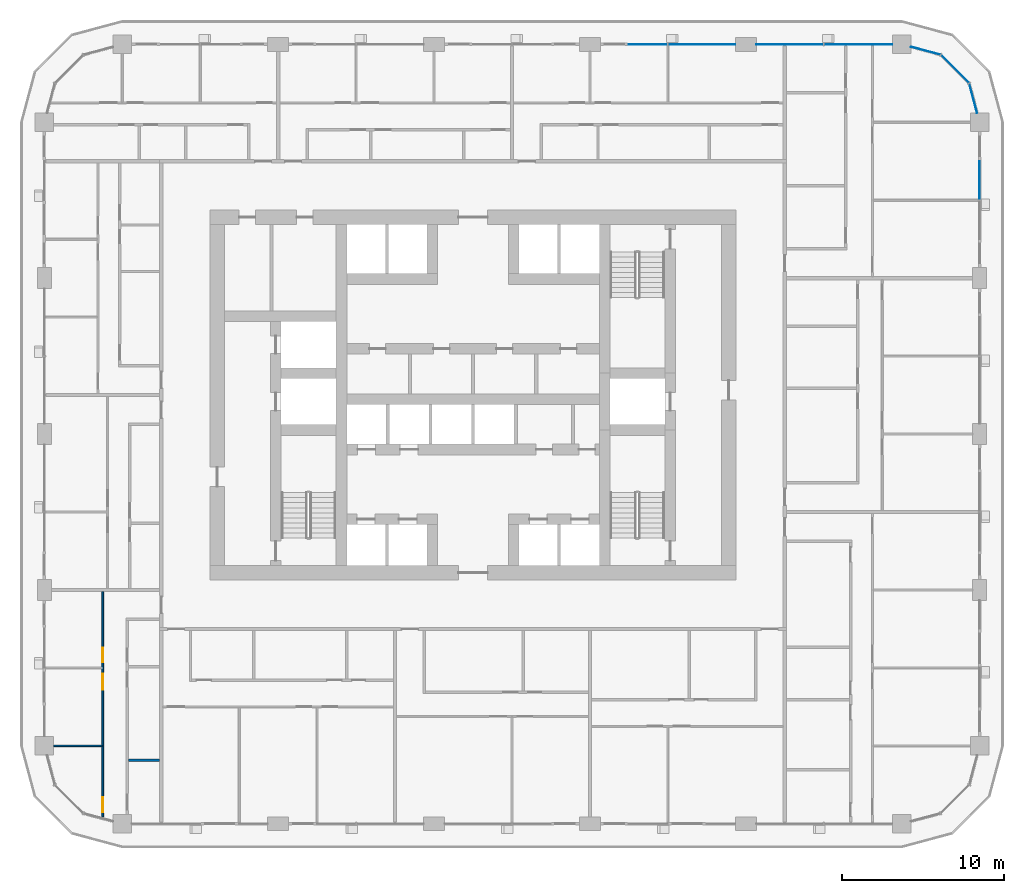
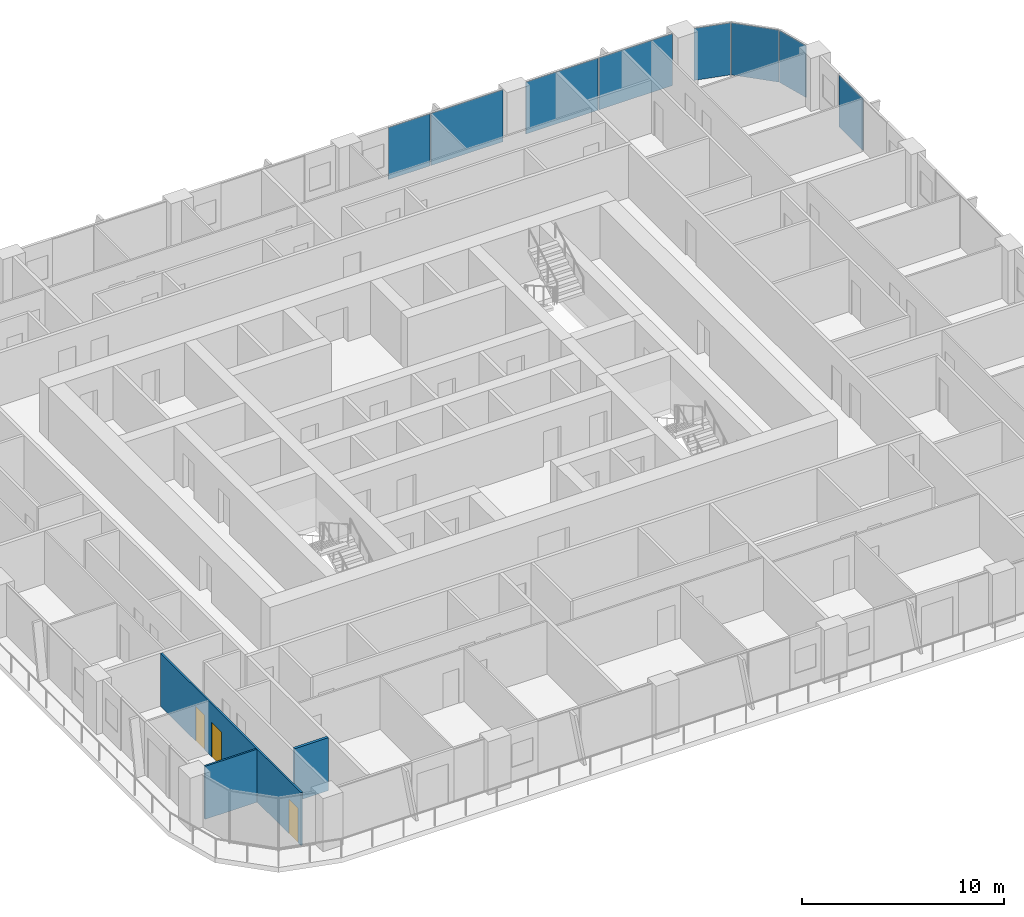
# One storey, part 8 of 22: 8 plates, 3 doors, 3 walls, 3 openings, 4 elements without a shape of their own.
"""IFC4 building model written with IfcOpenShell, lengths in metres."""

from ifc_helpers import new_model, si_unit, direction, frame, frame_2d, origin, origin_2d, place, context, subcontext, project, spatial, rectangle, extrude, material, layer, layer_set, type_object, element, fill, aggregate, save


model = new_model("IFC4")

# Units and contexts
model_context = context("Model", 3, precision=1e-05, world=origin(), true_north=direction((0.0, 1.0)))
body_context = subcontext(model_context, "Body", "Model", "MODEL_VIEW")
ifc_project = project(units=[si_unit("LENGTHUNIT", "METRE"), si_unit("AREAUNIT", "SQUARE_METRE"), si_unit("VOLUMEUNIT", "CUBIC_METRE"), si_unit("PLANEANGLEUNIT", "RADIAN"), si_unit("MASSUNIT", "GRAM", prefix="KILO")], contexts=[model_context])

# Site, building, storey
site_placement = place(None, origin())
site = spatial("IfcSite", under=ifc_project, at=site_placement, CompositionType="ELEMENT")
building_placement = place(site_placement, origin())
building = spatial("IfcBuilding", under=site, at=building_placement, Name="Madar Terraces", CompositionType="ELEMENT")
storey_placement = place(building_placement, frame((0.0, 0.0, 69.800048828125)))
storey = spatial("IfcBuildingStorey", under=building, at=storey_placement, Name="L17", CompositionType="ELEMENT", Elevation=69.800048828125)

# Curtain wall, plate
ifc_material_1 = material(Name="Glass, ceramic frit dark grey, with black aluminium frame", Category="aluminium")
ifc_layer_1 = layer(ifc_material_1, 0.199951171875)
ifc_layer_set_1 = layer_set([ifc_layer_1], Name="Facade curtain wall, fritted glass")
curtain_wall_type = type_object("IfcCurtainWallType", Name="Facade curtain wall, fritted glass", PredefinedType="NOTDEFINED", material=ifc_layer_set_1)
curtain_wall_1_placement = place(storey_placement, origin())
curtain_wall_1 = element("IfcCurtainWall", 1, at=curtain_wall_1_placement, inside=storey, type_object=curtain_wall_type, Name="Outer skin curtain wall east bay 4", PredefinedType="NOTDEFINED")
ifc_material_2 = material(Name="Glass, ceramic frit dark grey", Category="glass")
ifc_layer_2 = layer(ifc_material_2, 0.028076171875)
ifc_layer_set_2 = layer_set([ifc_layer_2], Name="Facade glass panel 28")
plate_type = type_object("IfcPlateType", Name="Facade glass panel 28", PredefinedType="CURTAIN_PANEL", material=ifc_layer_set_2)
plate_1_placement = place(storey_placement, frame((62.39990234375, 39.614990234375, 0.0), z_axis=(0.0, 0.0, 1.0), x_axis=(0.0, 1.0, 0.0)))
plate_1 = element("IfcPlate", 2, at=plate_1_placement, type_object=plate_type, Name="Panel 2", PredefinedType="CURTAIN_PANEL", context=body_context, shape_type="SweptSolid", body=[
    extrude(rectangle(XDim=2.3701171875, YDim=0.028076171875, at=origin_2d()), origin(), (0.0, 0.0, 1.0), 3.139892578125),
])
aggregate(curtain_wall_1, [plate_1])

# Curtain wall, plates
curtain_wall_2_placement = place(storey_placement, origin())
curtain_wall_2 = element("IfcCurtainWall", 3, at=curtain_wall_2_placement, inside=storey, type_object=curtain_wall_type, Name="Outer skin curtain wall north bay 1", PredefinedType="NOTDEFINED")
plate_2_placement = place(storey_placement, frame((54.927490234375, 48.0, 0.0), z_axis=(0.0, 0.0, 1.0), x_axis=(-1.0, 0.0, 0.0)))
plate_2 = element("IfcPlate", 4, at=plate_2_placement, type_object=plate_type, Name="Panel 1", PredefinedType="CURTAIN_PANEL", context=body_context, shape_type="SweptSolid", body=[
    extrude(rectangle(XDim=4.195068359375, YDim=0.028076171875, at=origin_2d()), origin(), (0.0, 0.0, 1.0), 3.139892578125),
])
plate_3_placement = place(storey_placement, frame((50.7099609375, 48.0, 0.0), z_axis=(0.0, 0.0, 1.0), x_axis=(-1.0, 0.0, 0.0)))
plate_3 = element("IfcPlate", 5, at=plate_3_placement, type_object=plate_type, Name="Panel 2", PredefinedType="CURTAIN_PANEL", context=body_context, shape_type="SweptSolid", body=[
    extrude(rectangle(XDim=4.1201171875, YDim=0.028076171875, at=origin_2d()), origin(), (0.0, 0.0, 1.0), 3.139892578125),
])
aggregate(curtain_wall_2, [plate_2, plate_3])

curtain_wall_3_placement = place(storey_placement, origin())
curtain_wall_3 = element("IfcCurtainWall", 6, at=curtain_wall_3_placement, inside=storey, type_object=curtain_wall_type, Name="Outer skin curtain wall north bay 2", PredefinedType="NOTDEFINED")
plate_4_placement = place(storey_placement, frame((45.2900390625, 48.0, 0.0), z_axis=(0.0, 0.0, 1.0), x_axis=(-1.0, 0.0, 0.0)))
plate_4 = element("IfcPlate", 7, at=plate_4_placement, type_object=plate_type, Name="Panel 1", PredefinedType="CURTAIN_PANEL", context=body_context, shape_type="SweptSolid", body=[
    extrude(rectangle(XDim=4.1201171875, YDim=0.028076171875, at=origin_2d()), origin(), (0.0, 0.0, 1.0), 3.139892578125),
])
plate_5_placement = place(storey_placement, frame((41.985107421875, 48.0, 0.0), z_axis=(0.0, 0.0, 1.0), x_axis=(-1.0, 0.0, 0.0)))
plate_5 = element("IfcPlate", 8, at=plate_5_placement, type_object=plate_type, Name="Panel 2", PredefinedType="CURTAIN_PANEL", context=body_context, shape_type="SweptSolid", body=[
    extrude(rectangle(XDim=2.3701171875, YDim=0.028076171875, at=origin_2d()), origin(), (0.0, 0.0, 1.0), 3.139892578125),
])
aggregate(curtain_wall_3, [plate_4, plate_5])

curtain_wall_4_placement = place(storey_placement, origin())
curtain_wall_4 = element("IfcCurtainWall", 9, at=curtain_wall_4_placement, inside=storey, type_object=curtain_wall_type, Name="Outer skin curtain wall north-east corner", PredefinedType="NOTDEFINED")
plate_6_placement = place(storey_placement, frame((62.00537109375, 44.673095703125, 0.0), z_axis=(0.0, 0.0, 1.0), x_axis=(-0.258819021888, 0.965925832509, 0.0)))
plate_6 = element("IfcPlate", 10, at=plate_6_placement, type_object=plate_type, Name="Panel 1", PredefinedType="CURTAIN_PANEL", context=body_context, shape_type="SweptSolid", body=[
    extrude(rectangle(XDim=1.859375, YDim=0.028076171875, at=origin_2d()), origin(), (0.0, 0.0, 1.0), 3.139892578125),
])
plate_7_placement = place(storey_placement, frame((60.87841796875, 46.478515625, 0.0), z_axis=(0.0, 0.0, 1.0), x_axis=(-0.707106781187, 0.707106781187, 0.0)))
plate_7 = element("IfcPlate", 11, at=plate_7_placement, type_object=plate_type, Name="Panel 2", PredefinedType="CURTAIN_PANEL", context=body_context, shape_type="SweptSolid", body=[
    extrude(rectangle(XDim=2.424560546875, YDim=0.028076171875, at=origin_2d()), origin(), (0.0, 0.0, 1.0), 3.139892578125),
])
plate_8_placement = place(storey_placement, frame((59.072998046875, 47.605224609375, 0.0), z_axis=(0.0, 0.0, 1.0), x_axis=(-0.965925832509, 0.258819021888, 0.0)))
plate_8 = element("IfcPlate", 12, at=plate_8_placement, type_object=plate_type, Name="Panel 3", PredefinedType="CURTAIN_PANEL", context=body_context, shape_type="SweptSolid", body=[
    extrude(rectangle(XDim=1.859375, YDim=0.028076171875, at=origin_2d()), origin(), (0.0, 0.0, 1.0), 3.139892578125),
])
aggregate(curtain_wall_4, [plate_6, plate_7, plate_8])

# Wall
ifc_material_3 = material(Name="Gypsum board on steel studs", Category="steel")
ifc_layer_3 = layer(ifc_material_3, 0.10009765625)
ifc_layer_set_3 = layer_set([ifc_layer_3], Name="Flat partition 100")
wall_type_1 = type_object("IfcWallType", Name="Flat partition 100", PredefinedType="PARTITIONING", material=ifc_layer_set_3)
wall_1_placement = place(storey_placement, frame((8.35009765625, 4.800048828125, 0.0), z_axis=(0.0, 0.0, 1.0), x_axis=(-1.0, 0.0, 0.0)))
element("IfcWall", 13, at=wall_1_placement, inside=storey, type_object=wall_type_1, Name="Flat partition 100", PredefinedType="PARTITIONING", context=body_context, shape_type="SweptSolid", body=[
    extrude(rectangle(XDim=2.97509765625, YDim=0.10009765625, at=frame_2d((1.487548828125, 0.0))), origin(), (0.0, 0.0, 1.0), 3.199951171875),
])

# Wall, openings, doors
wall_2_placement = place(storey_placement, frame((8.39990234375, 0.42138671875, 0.0), z_axis=(0.0, 0.0, 1.0), x_axis=(0.0, 1.0, 0.0)))
wall_2 = element("IfcWall", 14, at=wall_2_placement, inside=storey, type_object=wall_type_1, Name="Flat partition 100", PredefinedType="PARTITIONING", context=body_context, shape_type="SweptSolid", body=[
    extrude(rectangle(XDim=13.878662109375, YDim=0.10009765625, at=frame_2d((6.939453125, 0.0))), origin(), (0.0, 0.0, 1.0), 3.199951171875),
])
opening_1_placement = place(wall_2_placement, frame((9.528564453125, 0.0, 0.0)))
opening_1 = element("IfcOpeningElement", 15, at=opening_1_placement, cuts=wall_2, Name="Opening D2", PredefinedType="OPENING", context=body_context, shape_type="SweptSolid", body=[
    extrude(rectangle(XDim=0.89990234375, YDim=2.10009765625, at=frame_2d((0.449951171875, 1.050048828125))), frame((0.0, 0.06005859375, 0.0), z_axis=(0.0, -1.0, 0.0), x_axis=(1.0, 0.0, 0.0)), (0.0, 0.0, 1.0), 0.1201171875),
])
opening_2_placement = place(wall_2_placement, frame((7.82861328125, 0.0, 0.0)))
opening_2 = element("IfcOpeningElement", 16, at=opening_2_placement, cuts=wall_2, Name="Opening D3", PredefinedType="OPENING", context=body_context, shape_type="SweptSolid", body=[
    extrude(rectangle(XDim=1.0, YDim=2.10009765625, at=frame_2d((0.5, 1.050048828125))), frame((0.0, 0.06005859375, 0.0), z_axis=(0.0, -1.0, 0.0), x_axis=(1.0, 0.0, 0.0)), (0.0, 0.0, 1.0), 0.1201171875),
])
opening_3_placement = place(wall_2_placement, frame((0.300048828125, 0.0, 0.0)))
opening_3 = element("IfcOpeningElement", 17, at=opening_3_placement, cuts=wall_2, Name="Opening D2", PredefinedType="OPENING", context=body_context, shape_type="SweptSolid", body=[
    extrude(rectangle(XDim=0.89990234375, YDim=2.10009765625, at=frame_2d((0.449951171875, 1.050048828125))), frame((0.0, 0.06005859375, 0.0), z_axis=(0.0, -1.0, 0.0), x_axis=(1.0, 0.0, 0.0)), (0.0, 0.0, 1.0), 0.1201171875),
])
ifc_material_4 = material(Name="Timber door leaf", Category="wood")
door_type_1 = type_object("IfcDoorType", Name="Flat living room door 1000", OperationType="NOTDEFINED", PredefinedType="DOOR", material=ifc_material_4)
door_1_placement = place(opening_2_placement, origin())
door_1 = element("IfcDoor", 18, at=door_1_placement, inside=storey, type_object=door_type_1, Name="Flat living room door 1000", OperationType="SINGLE_SWING_RIGHT", OverallHeight=2.10009765625, OverallWidth=1.0, PredefinedType="DOOR", context=body_context, shape_type="SweptSolid", body=[
    extrude(rectangle(XDim=1.0, YDim=2.10009765625, at=frame_2d((0.5, 1.050048828125))), frame((0.0, 0.02490234375, 0.0), z_axis=(0.0, -1.0, 0.0), x_axis=(1.0, 0.0, 0.0)), (0.0, 0.0, 1.0), 0.050048828125),
])
fill(opening_2, door_1)
ifc_material_5 = material(Name="Timber door leaf", Category="wood")
door_type_2 = type_object("IfcDoorType", Name="Flat room door 900", OperationType="NOTDEFINED", PredefinedType="DOOR", material=ifc_material_5)
door_2_placement = place(opening_1_placement, origin())
door_2 = element("IfcDoor", 19, at=door_2_placement, inside=storey, type_object=door_type_2, Name="Flat room door 900", OperationType="SINGLE_SWING_LEFT", OverallHeight=2.10009765625, OverallWidth=0.89990234375, PredefinedType="DOOR", context=body_context, shape_type="SweptSolid", body=[
    extrude(rectangle(XDim=0.89990234375, YDim=2.10009765625, at=frame_2d((0.449951171875, 1.050048828125))), frame((0.0, 0.02490234375, 0.0), z_axis=(0.0, -1.0, 0.0), x_axis=(1.0, 0.0, 0.0)), (0.0, 0.0, 1.0), 0.050048828125),
])
fill(opening_1, door_2)
door_3_placement = place(opening_3_placement, origin())
door_3 = element("IfcDoor", 20, at=door_3_placement, inside=storey, type_object=door_type_2, Name="Flat room door 900", OperationType="SINGLE_SWING_LEFT", OverallHeight=2.10009765625, OverallWidth=0.89990234375, PredefinedType="DOOR", context=body_context, shape_type="SweptSolid", body=[
    extrude(rectangle(XDim=0.89990234375, YDim=2.10009765625, at=frame_2d((0.449951171875, 1.050048828125))), frame((0.0, 0.02490234375, 0.0), z_axis=(0.0, -1.0, 0.0), x_axis=(1.0, 0.0, 0.0)), (0.0, 0.0, 1.0), 0.050048828125),
])
fill(opening_3, door_3)

# Wall
ifc_material_6 = material(Name="Lightweight blockwork", Category="masonry")
ifc_layer_4 = layer(ifc_material_6, 0.14990234375)
ifc_layer_set_4 = layer_set([ifc_layer_4], Name="Flat wet-room partition 150")
wall_type_2 = type_object("IfcWallType", Name="Flat wet-room partition 150", PredefinedType="PARTITIONING", material=ifc_layer_set_4)
wall_3_placement = place(storey_placement, frame((11.89990234375, 3.923095703125, 0.0), z_axis=(0.0, 0.0, 1.0), x_axis=(-1.0, 0.0, 0.0)))
element("IfcWall", 21, at=wall_3_placement, inside=storey, type_object=wall_type_2, Name="Flat wet-room partition 150", PredefinedType="PARTITIONING", context=body_context, shape_type="SweptSolid", body=[
    extrude(rectangle(XDim=1.9248046875, YDim=0.14990234375, at=frame_2d((0.96240234375, 0.0))), origin(), (0.0, 0.0, 1.0), 3.199951171875),
])

save(model, "model.ifc")
